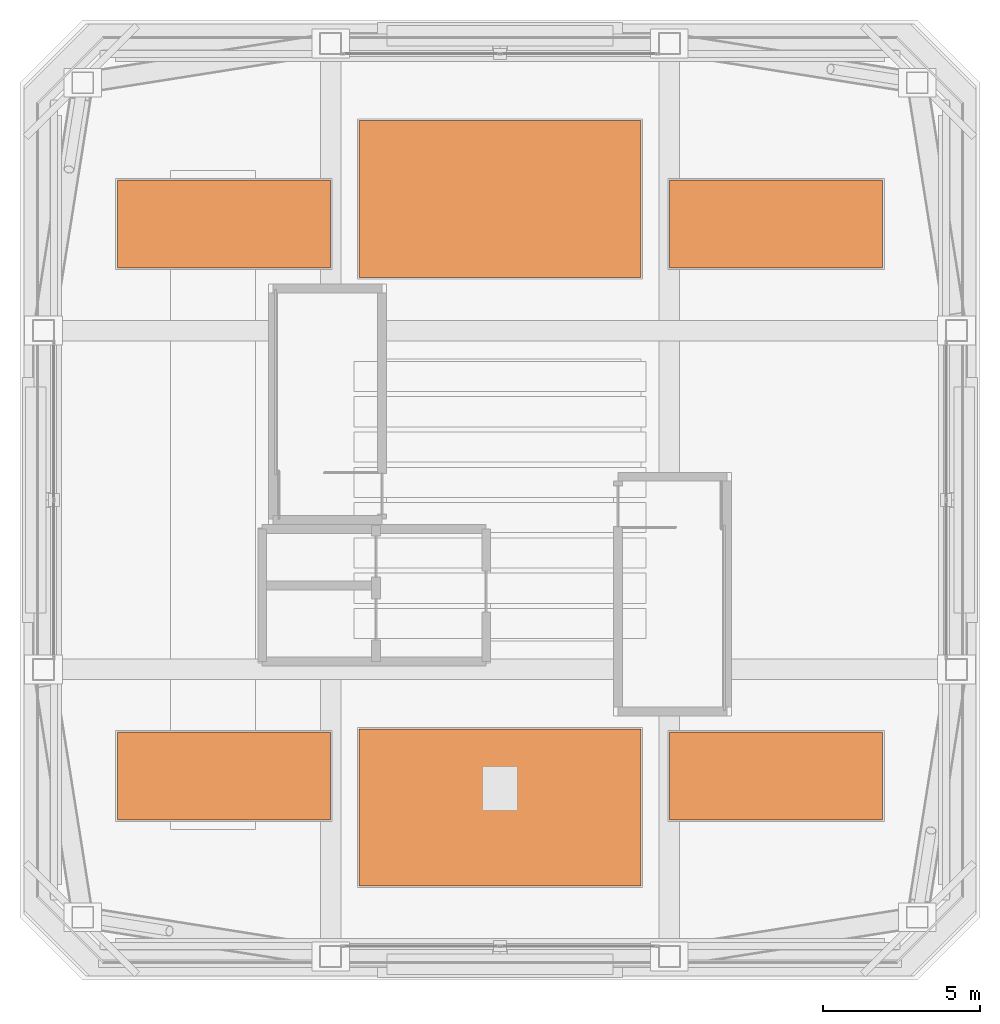
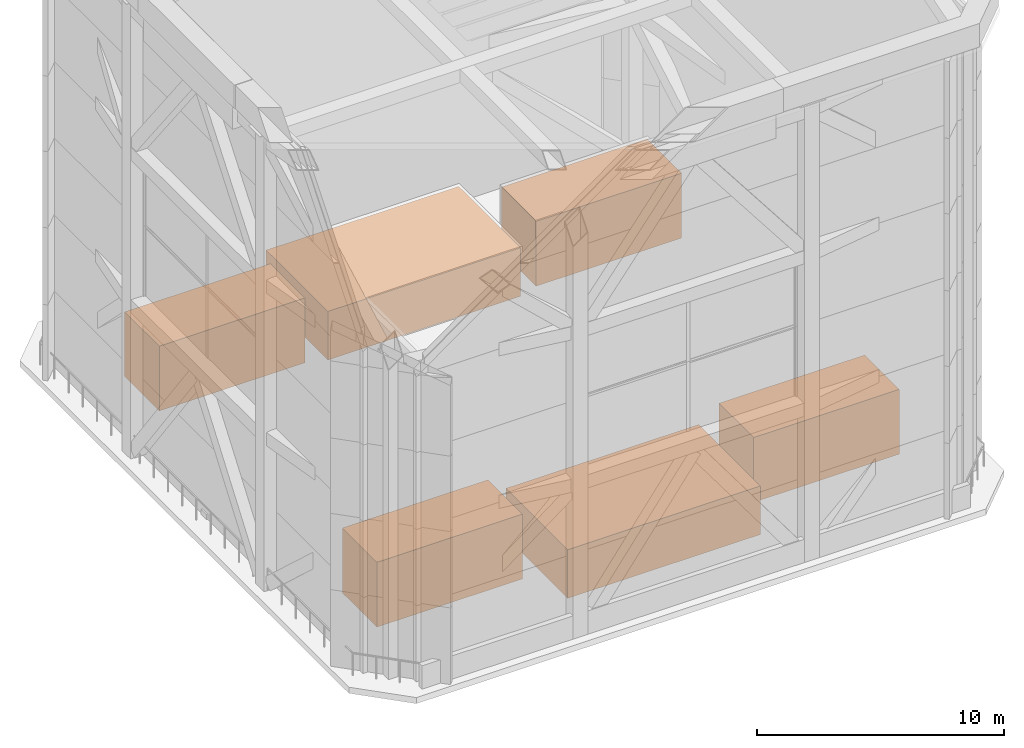
# One storey, part 28 of 28: 6 proxies.
"""IFC4 building model written with IfcOpenShell, lengths in metres."""

from ifc_helpers import new_model, si_unit, direction, frame, origin, origin_2d, place, context, subcontext, project, spatial, rectangle, extrude, material, type_object, element, save


model = new_model("IFC4")

# Units and contexts
model_context = context("Model", 3, precision=1e-05, world=origin(), true_north=direction((0.0, 1.0)))
body_context = subcontext(model_context, "Body", "Model", "MODEL_VIEW")
ifc_project = project(units=[si_unit("LENGTHUNIT", "METRE"), si_unit("AREAUNIT", "SQUARE_METRE"), si_unit("VOLUMEUNIT", "CUBIC_METRE"), si_unit("PLANEANGLEUNIT", "RADIAN"), si_unit("MASSUNIT", "GRAM", prefix="KILO")], contexts=[model_context])

# Site, building, storey
site_placement = place(None, origin())
site = spatial("IfcSite", under=ifc_project, at=site_placement, CompositionType="ELEMENT")
building_placement = place(site_placement, origin())
building = spatial("IfcBuilding", under=site, at=building_placement, Name="Tashvorn Skyway Center", CompositionType="ELEMENT")
storey_placement = place(building_placement, frame((0.0, 0.0, 277.60009765625)))
storey = spatial("IfcBuildingStorey", under=building, at=storey_placement, Name="Roof Level", CompositionType="ELEMENT", Elevation=277.60009765625)

# Proxies
ifc_material_1 = material(Name="Painted galvanized steel equipment", Category="steel")
building_element_proxy_type_1 = type_object("IfcBuildingElementProxyType", Name="EQP-CHILLER", PredefinedType="USERDEFINED", material=ifc_material_1)
for number, where, z_axis, x_axis, name in (
    (1, (33.199951171875, 23.199951171875, 0.0), (0.0, 0.0, 1.0), (1.0, 0.0, 0.0), "Tower 1 Crown Air-Cooled Chiller Plant 1"),
    (2, (50.800048828125, 23.199951171875, 0.0), (0.0, 0.0, 1.0), (1.0, 0.0, 0.0), "Tower 1 Crown Air-Cooled Chiller Plant 2"),
    (3, (33.199951171875, 40.800048828125, 0.0), (0.0, 0.0, 1.0), (1.0, 0.0, 0.0), "Tower 1 Crown Air-Cooled Chiller Plant 3"),
    (4, (50.800048828125, 40.800048828125, 0.0), (0.0, 0.0, 1.0), (1.0, 0.0, 0.0), "Tower 1 Crown Air-Cooled Chiller Plant 4"),
):
    element("IfcBuildingElementProxy", number, at=place(storey_placement, frame(where, z_axis=z_axis, x_axis=x_axis)), inside=storey, type_object=building_element_proxy_type_1, Name=name, ObjectType="CHILLER", PredefinedType="USERDEFINED", context=body_context, shape_type="SweptSolid", body=[
        extrude(rectangle(XDim=6.800048828125, YDim=2.800048828125, at=origin_2d()), origin(), (0.0, 0.0, 1.0), 3.199951171875),
    ])
ifc_material_2 = material(Name="Insulated stainless steel tank", Category="steel")
building_element_proxy_type_2 = type_object("IfcBuildingElementProxyType", Name="EQP-WTANK", PredefinedType="USERDEFINED", material=ifc_material_2)
for number, where, z_axis, x_axis, name in (
    (5, (42.0, 41.60009765625, 0.0), (0.0, 0.0, 1.0), (1.0, 0.0, 0.0), "Tower 1 Crown Fire and Domestic Water Storage Tank 1"),
    (6, (42.0, 22.199951171875, 0.0), (0.0, 0.0, 1.0), (1.0, 0.0, 0.0), "Tower 1 Crown Fire and Domestic Water Storage Tank 2"),
):
    element("IfcBuildingElementProxy", number, at=place(storey_placement, frame(where, z_axis=z_axis, x_axis=x_axis)), inside=storey, type_object=building_element_proxy_type_2, Name=name, ObjectType="WATER_TANK", PredefinedType="USERDEFINED", context=body_context, shape_type="SweptSolid", body=[
        extrude(rectangle(XDim=9.0, YDim=5.0, at=origin_2d()), origin(), (0.0, 0.0, 1.0), 2.39990234375),
    ])

save(model, "model.ifc")
